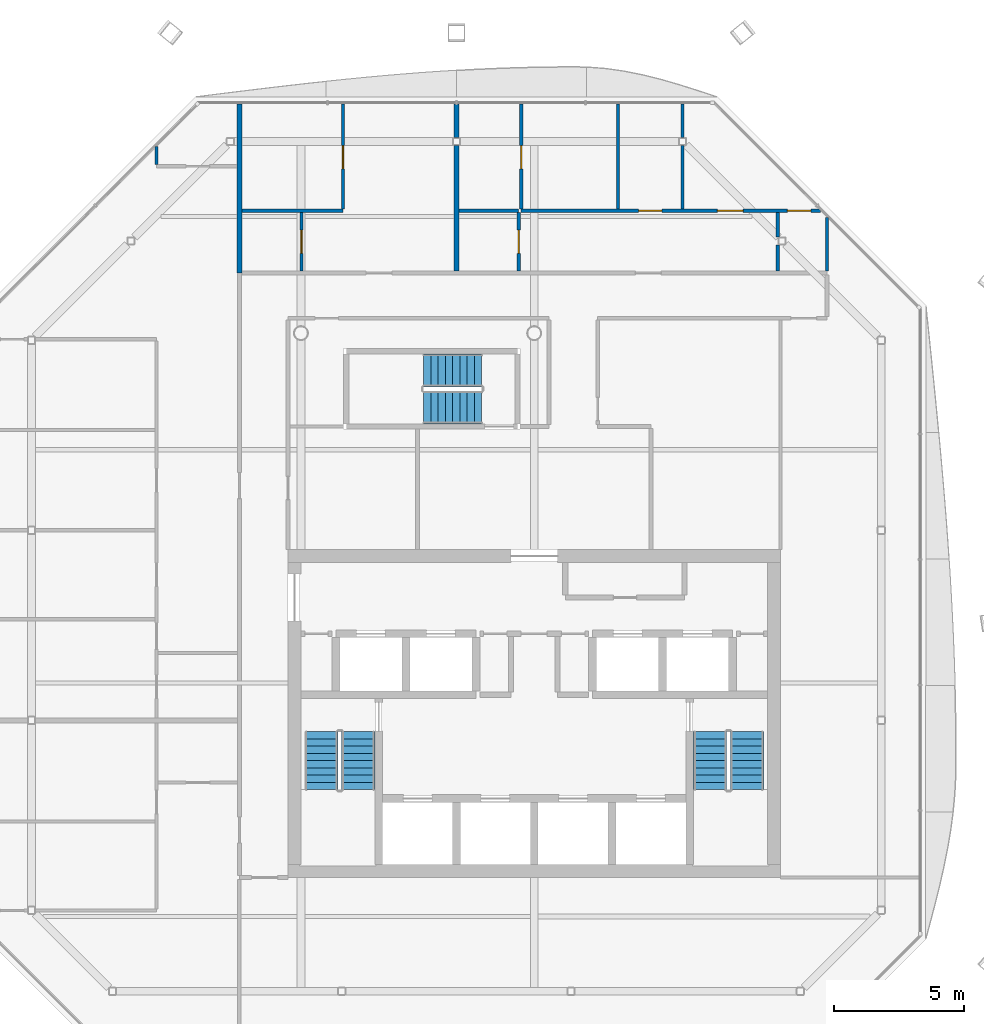
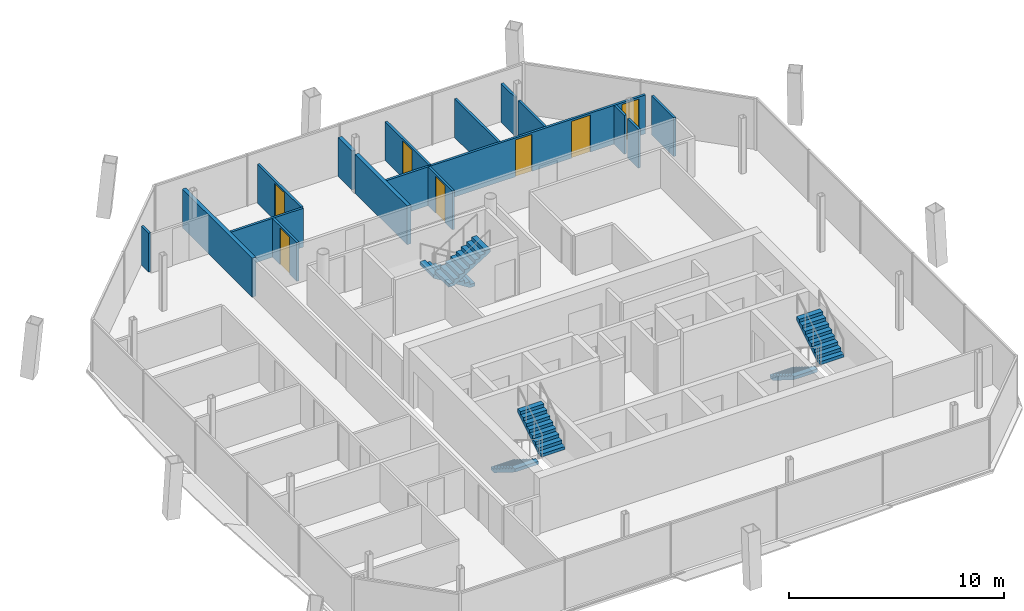
# One storey, part 12 of 15: 17 walls, 7 doors, 6 stair flights, 7 openings, 3 elements without a shape of their own.
"""IFC4 building model written with IfcOpenShell, lengths in metres."""

import ifcopenshell
import ifcopenshell.guid

model = None  # the IFC model being written
_history = None  # IfcOwnerHistory: only IFC2X3 demands one
_inside = {}  # id of a spatial element -> (the spatial element, [elements in it])
_under = {}  # id of a project, library or spatial element -> (it, [spatial elements below it])
_declared = {}  # id of a project -> (the project, [libraries it declares])
_typed = {}  # id of a type object -> (the type object, [elements of that type])
_made_of = {}  # id of a material, layer set ... -> (it, [elements and type objects made of it])


def new_model(schema):
    """Start an empty IFC model of exactly this schema.

    Asked for "IFC4X3", IfcOpenShell would pick the latest addendum, in which some entities
    have other attributes; the version numbers below select the first issue.
    IFC2X3 requires an IfcOwnerHistory on every rooted entity: one is made here for all.
    """
    global model, _history
    if schema == "IFC4X3":
        model = ifcopenshell.file(schema_version=(4, 3, 0, 0))
    else:
        model = ifcopenshell.file(schema=schema)
    _inside.clear()
    _under.clear()
    _declared.clear()
    _typed.clear()
    _made_of.clear()
    _history = None
    if model.schema == "IFC2X3":
        org = make("IfcOrganization", Name="unknown")
        user = make(
            "IfcPersonAndOrganization",
            ThePerson=make("IfcPerson", FamilyName="unknown"),
            TheOrganization=org,
        )
        app = make(
            "IfcApplication",
            ApplicationDeveloper=org,
            Version="unknown",
            ApplicationFullName="unknown",
            ApplicationIdentifier="unknown",
        )
        _history = make(
            "IfcOwnerHistory",
            OwningUser=user,
            OwningApplication=app,
            ChangeAction="ADDED",
            CreationDate=0,
        )
    return model


def make(cls, **values):
    """One entity of the class cls with the attributes given. An attribute that is None is left unset."""
    return model.create_entity(
        cls, **{name: value for name, value in values.items() if value is not None}
    )


def rooted(cls, **values):
    """An entity with a GlobalId (a new one), such as an element, a storey or a relation."""
    return make(cls, GlobalId=ifcopenshell.guid.new(), OwnerHistory=_history, **values)


def si_unit(unit_type, name, prefix=None):
    """IfcSIUnit, for example si_unit("LENGTHUNIT", "METRE", prefix="MILLI")."""
    return make("IfcSIUnit", UnitType=unit_type, Prefix=prefix, Name=name)


def assignment(units):
    """IfcUnitAssignment: the units of a project."""
    return None if units is None else make("IfcUnitAssignment", Units=units)


def point(xyz):
    """IfcCartesianPoint."""
    return None if xyz is None else make("IfcCartesianPoint", Coordinates=xyz)


def direction(xyz):
    """IfcDirection."""
    return None if xyz is None else make("IfcDirection", DirectionRatios=xyz)


def frame(location, z_axis=None, x_axis=None):
    """IfcAxis2Placement3D, a coordinate frame: its origin and axes. An axis left out is left unset."""
    return make(
        "IfcAxis2Placement3D",
        Location=point(location),
        Axis=direction(z_axis),
        RefDirection=direction(x_axis),
    )


def frame_2d(location, x_axis=None):
    """IfcAxis2Placement2D, a coordinate frame in the plane: its origin and x axis."""
    return make(
        "IfcAxis2Placement2D", Location=point(location), RefDirection=direction(x_axis)
    )


def origin():
    """The frame at (0, 0, 0) with its axes left unset."""
    return frame((0.0, 0.0, 0.0))


def place(relative_to, where):
    """IfcLocalPlacement: puts the frame where relative to a parent placement (None: the world)."""
    return make(
        "IfcLocalPlacement", PlacementRelTo=relative_to, RelativePlacement=where
    )


def context(
    kind, dimensions, precision=None, world=None, true_north=None, identifier=None
):
    """IfcGeometricRepresentationContext, for example the 3D "Model" context."""
    return make(
        "IfcGeometricRepresentationContext",
        ContextIdentifier=identifier,
        ContextType=kind,
        CoordinateSpaceDimension=dimensions,
        Precision=precision,
        WorldCoordinateSystem=world,
        TrueNorth=true_north,
    )


def subcontext(parent, identifier, kind, view, scale=None):
    """IfcGeometricRepresentationSubContext, for example "Body" below "Model"."""
    return make(
        "IfcGeometricRepresentationSubContext",
        ContextIdentifier=identifier,
        ContextType=kind,
        ParentContext=parent,
        TargetScale=scale,
        TargetView=view,
    )


def project(units=None, contexts=None):
    """IfcProject with its units and contexts."""
    return rooted(
        "IfcProject",
        Name="project",
        RepresentationContexts=contexts,
        UnitsInContext=assignment(units),
    )


def spatial(cls, under=None, at=None, **own):
    """A site, building, storey or space (cls), placed at a placement, below another one or the project."""
    s = rooted(cls, ObjectPlacement=at, **own)
    if under is not None:
        _under.setdefault(under.id(), (under, []))[1].append(s)
    return s


def polyline(points):
    """IfcPolyline through the points."""
    return make("IfcPolyline", Points=[point(p) for p in points])


def profile(cls, at=None, kind="AREA", **sizes):
    """A parametric profile (cls). Its sizes go by their IFC names, for example OverallWidth=200.0."""
    return make(cls, ProfileType=kind, Position=at, **sizes)


def rectangle(**sizes):
    """IfcRectangleProfileDef."""
    return profile("IfcRectangleProfileDef", **sizes)


def outline(outer, holes=None, kind="AREA"):
    """IfcArbitraryClosedProfileDef: a profile drawn as a closed curve; with holes, ...WithVoids."""
    if holes is None:
        return make("IfcArbitraryClosedProfileDef", ProfileType=kind, OuterCurve=outer)
    return make(
        "IfcArbitraryProfileDefWithVoids",
        ProfileType=kind,
        OuterCurve=outer,
        InnerCurves=holes,
    )


def extrude(swept, where, along, depth):
    """IfcExtrudedAreaSolid: the profile swept, set in the frame where, extruded along a direction by depth."""
    return make(
        "IfcExtrudedAreaSolid",
        SweptArea=swept,
        Position=where,
        ExtrudedDirection=direction(along),
        Depth=depth,
    )


def shape(context_of_items, identifier, shape_type, items):
    """IfcShapeRepresentation: the items that make up one representation, for example the "Body"."""
    return make(
        "IfcShapeRepresentation",
        ContextOfItems=context_of_items,
        RepresentationIdentifier=identifier,
        RepresentationType=shape_type,
        Items=items,
    )


def material(Name=None, Category=None):
    """IfcMaterial."""
    return make("IfcMaterial", Name=Name, Category=Category)


def layer(
    of_material, thickness, ventilated=None, Name=None, Category=None, Priority=None
):
    """IfcMaterialLayer: one layer of a wall or slab, of a material (None: an air gap)."""
    return make(
        "IfcMaterialLayer",
        Material=of_material,
        LayerThickness=thickness,
        IsVentilated=ventilated,
        Name=Name,
        Category=Category,
        Priority=Priority,
    )


def layer_set(layers, Name=None):
    """IfcMaterialLayerSet."""
    return make("IfcMaterialLayerSet", MaterialLayers=layers, LayerSetName=Name)


def made_of(thing, what):
    """Note that an element or type object is made of a material, layer set ...; save() writes the relation."""
    if what is not None:
        _made_of.setdefault(what.id(), (what, []))[1].append(thing)
    return thing


def type_object(cls, material=None, **own):
    """A type object (cls), such as IfcWallType, which elements share."""
    return made_of(rooted(cls, **own), material)


def element(
    cls,
    number,
    at=None,
    inside=None,
    cuts=None,
    type_object=None,
    material=None,
    context=None,
    identifier="Body",
    shape_type=None,
    held_by="IfcProductDefinitionShape",
    body=None,
    shapes=None,
    **own,
):
    """One element of the class cls, such as IfcWall. Its Tag is "e" and its number.

    at: its placement. inside: the storey or other place that contains it. cuts: it is an
    opening in that element (IfcRelVoidsElement). A single representation is given by context,
    identifier, shape_type and body (its items); several are given by shapes. held_by: the class
    of the entity that holds the representations. save() writes the other relations.
    """
    e = rooted(cls, Tag="e%d" % number, ObjectPlacement=at, **own)
    if body is not None:
        shapes = [shape(context, identifier, shape_type, body)]
    if shapes is not None:
        e.Representation = make(held_by, Representations=shapes)
    if inside is not None:
        _inside.setdefault(inside.id(), (inside, []))[1].append(e)
    if cuts is not None:
        rooted(
            "IfcRelVoidsElement", RelatingBuildingElement=cuts, RelatedOpeningElement=e
        )
    if type_object is not None:
        _typed.setdefault(type_object.id(), (type_object, []))[1].append(e)
    return made_of(e, material)


def fill(opening, filler):
    """IfcRelFillsElement: the door or window that sits in an opening."""
    return rooted(
        "IfcRelFillsElement",
        RelatingOpeningElement=opening,
        RelatedBuildingElement=filler,
    )


def aggregate(whole, parts):
    """IfcRelAggregates: a whole, such as a stair, and the parts it consists of."""
    return rooted("IfcRelAggregates", RelatingObject=whole, RelatedObjects=parts)


def save(model, path):
    """Write the relations noted so far, then the file.

    IfcRelAggregates (storeys below a building ...), IfcRelContainedInSpatialStructure (elements
    in a storey), IfcRelDefinesByType, IfcRelAssociatesMaterial and IfcRelDeclares: one each for
    every whole, place, type object, material and project.
    """
    for whole, parts in _under.values():
        aggregate(whole, parts)
    for where, things in _inside.values():
        rooted(
            "IfcRelContainedInSpatialStructure",
            RelatedElements=things,
            RelatingStructure=where,
        )
    for kind, things in _typed.values():
        rooted("IfcRelDefinesByType", RelatedObjects=things, RelatingType=kind)
    for what, things in _made_of.values():
        rooted("IfcRelAssociatesMaterial", RelatedObjects=things, RelatingMaterial=what)
    for by, libraries in _declared.values():
        rooted("IfcRelDeclares", RelatingContext=by, RelatedDefinitions=libraries)
    model.write(path)


model = new_model("IFC4")

# Units and contexts
model_context = context("Model", 3, precision=1e-05, world=origin(), true_north=direction((0.0, 1.0)))
body_context = subcontext(model_context, "Body", "Model", "MODEL_VIEW")
ifc_project = project(units=[si_unit("LENGTHUNIT", "METRE"), si_unit("AREAUNIT", "SQUARE_METRE"), si_unit("VOLUMEUNIT", "CUBIC_METRE"), si_unit("PLANEANGLEUNIT", "RADIAN"), si_unit("MASSUNIT", "GRAM", prefix="KILO")], contexts=[model_context])

# Site, building, storey
site_placement = place(None, origin())
site = spatial("IfcSite", under=ifc_project, at=site_placement, CompositionType="ELEMENT")
building_placement = place(site_placement, origin())
building = spatial("IfcBuilding", under=site, at=building_placement, Name="Tskaro Facet Tower", CompositionType="ELEMENT")
storey_placement = place(building_placement, frame((0.0, 0.0, 242.39990234375)))
storey = spatial("IfcBuildingStorey", under=building, at=storey_placement, Name="L63", CompositionType="ELEMENT", Elevation=242.39990234375)

# Walls
ifc_material_1 = material(Name="Gypsum board on steel studs", Category="steel")
ifc_layer_1 = layer(ifc_material_1, 0.125, Name="Gypsum board on steel studs")
ifc_layer_set_1 = layer_set([ifc_layer_1], Name="Gypsum board on steel studs")
wall_type_1 = type_object("IfcWallType", Name="PART", PredefinedType="PARTITIONING", material=ifc_layer_set_1)
wall_1_placement = place(storey_placement, frame((-11.27490234375, 13.72509765625, 0.0), z_axis=(0.0, 0.0, 1.0), x_axis=(1.0, 0.0, 0.0)))
element("IfcWall", 1, at=wall_1_placement, inside=storey, type_object=wall_type_1, Name="Partition W035", PredefinedType="PARTITIONING", context=body_context, shape_type="SweptSolid", body=[
    extrude(rectangle(XDim=3.89990234375, YDim=0.125, at=frame_2d((1.949951171875, 0.0))), origin(), (0.0, 0.0, 1.0), 2.210205078125),
])
wall_2_placement = place(storey_placement, frame((-2.89990234375, 13.72509765625, 0.0), z_axis=(0.0, 0.0, 1.0), x_axis=(1.0, 0.0, 0.0)))
element("IfcWall", 2, at=wall_2_placement, inside=storey, type_object=wall_type_1, Name="Partition W036", PredefinedType="PARTITIONING", context=body_context, shape_type="SweptSolid", body=[
    extrude(rectangle(XDim=2.2998046875, YDim=0.125, at=frame_2d((1.14990234375, 0.0))), origin(), (0.0, 0.0, 1.0), 2.210205078125),
])

# Wall, openings, doors
wall_3_placement = place(storey_placement, frame((-0.5, 13.72509765625, 0.0), z_axis=(0.0, 0.0, 1.0), x_axis=(1.0, 0.0, 0.0)))
wall_3 = element("IfcWall", 3, at=wall_3_placement, inside=storey, type_object=wall_type_1, Name="Partition W037", PredefinedType="PARTITIONING", context=body_context, shape_type="SweptSolid", body=[
    extrude(rectangle(XDim=11.5419921875, YDim=0.125, at=frame_2d((5.77099609375, 0.0))), origin(), (0.0, 0.0, 1.0), 2.210205078125),
])
opening_1_placement = place(wall_3_placement, frame((4.530029296875, 0.0, 0.0)))
opening_1 = element("IfcOpeningElement", 4, at=opening_1_placement, cuts=wall_3, Name="Opening T18-D27", PredefinedType="OPENING", context=body_context, shape_type="SweptSolid", body=[
    extrude(rectangle(XDim=0.89990234375, YDim=2.10009765625, at=frame_2d((0.449951171875, 1.050048828125))), frame((0.0, 0.072509765625, 0.0), z_axis=(0.0, -1.0, 0.0), x_axis=(1.0, 0.0, 0.0)), (0.0, 0.0, 1.0), 0.14501953125),
])
opening_2_placement = place(wall_3_placement, frame((7.5625, 0.0, 0.0)))
opening_2 = element("IfcOpeningElement", 5, at=opening_2_placement, cuts=wall_3, Name="Opening T18-D28", PredefinedType="OPENING", context=body_context, shape_type="SweptSolid", body=[
    extrude(rectangle(XDim=1.0, YDim=2.10009765625, at=frame_2d((0.5, 1.050048828125))), frame((0.0, 0.072509765625, 0.0), z_axis=(0.0, -1.0, 0.0), x_axis=(1.0, 0.0, 0.0)), (0.0, 0.0, 1.0), 0.14501953125),
])
opening_3_placement = place(wall_3_placement, frame((10.27099609375, 0.0, 0.0)))
opening_3 = element("IfcOpeningElement", 6, at=opening_3_placement, cuts=wall_3, Name="Opening T18-D29", PredefinedType="OPENING", context=body_context, shape_type="SweptSolid", body=[
    extrude(rectangle(XDim=0.89990234375, YDim=2.10009765625, at=frame_2d((0.449951171875, 1.050048828125))), frame((0.0, 0.072509765625, 0.0), z_axis=(0.0, -1.0, 0.0), x_axis=(1.0, 0.0, 0.0)), (0.0, 0.0, 1.0), 0.14501953125),
])
ifc_material_2 = material(Name="Timber", Category="wood")
door_type_1 = type_object("IfcDoorType", Name="D-ROOM", OperationType="NOTDEFINED", PredefinedType="DOOR", material=ifc_material_2)
door_1_placement = place(opening_1_placement, origin())
door_1 = element("IfcDoor", 7, at=door_1_placement, inside=storey, type_object=door_type_1, Name="Door T18-D27", OperationType="SINGLE_SWING_LEFT", OverallHeight=2.10009765625, OverallWidth=0.89990234375, PredefinedType="DOOR", context=body_context, shape_type="SweptSolid", body=[
    extrude(rectangle(XDim=0.89990234375, YDim=2.10009765625, at=frame_2d((0.449951171875, 1.050048828125))), frame((0.0, 0.02490234375, 0.0), z_axis=(0.0, -1.0, 0.0), x_axis=(1.0, 0.0, 0.0)), (0.0, 0.0, 1.0), 0.050048828125),
])
fill(opening_1, door_1)
door_2_placement = place(opening_3_placement, origin())
door_2 = element("IfcDoor", 8, at=door_2_placement, inside=storey, type_object=door_type_1, Name="Door T18-D29", OperationType="SINGLE_SWING_LEFT", OverallHeight=2.10009765625, OverallWidth=0.89990234375, PredefinedType="DOOR", context=body_context, shape_type="SweptSolid", body=[
    extrude(rectangle(XDim=0.89990234375, YDim=2.10009765625, at=frame_2d((0.449951171875, 1.050048828125))), frame((0.0, 0.02490234375, 0.0), z_axis=(0.0, -1.0, 0.0), x_axis=(1.0, 0.0, 0.0)), (0.0, 0.0, 1.0), 0.050048828125),
])
fill(opening_3, door_2)
door_type_2 = type_object("IfcDoorType", Name="D-ROOM-WIDE", OperationType="NOTDEFINED", PredefinedType="DOOR", material=ifc_material_2)
door_3_placement = place(opening_2_placement, origin())
door_3 = element("IfcDoor", 9, at=door_3_placement, inside=storey, type_object=door_type_2, Name="Door T18-D28", OperationType="SINGLE_SWING_LEFT", OverallHeight=2.10009765625, OverallWidth=1.0, PredefinedType="DOOR", context=body_context, shape_type="SweptSolid", body=[
    extrude(rectangle(XDim=1.0, YDim=2.10009765625, at=frame_2d((0.5, 1.050048828125))), frame((0.0, 0.02490234375, 0.0), z_axis=(0.0, -1.0, 0.0), x_axis=(1.0, 0.0, 0.0)), (0.0, 0.0, 1.0), 0.050048828125),
])
fill(opening_2, door_3)

# Wall
wall_4_placement = place(storey_placement, frame((-14.574951171875, 15.50244140625, 0.0), z_axis=(0.0, 0.0, 1.0), x_axis=(0.0, 1.0, 0.0)))
element("IfcWall", 10, at=wall_4_placement, inside=storey, type_object=wall_type_1, Name="Partition W040", PredefinedType="PARTITIONING", context=body_context, shape_type="SweptSolid", body=[
    extrude(rectangle(XDim=0.689453125, YDim=0.125, at=frame_2d((0.3447265625, 0.0))), origin(), (0.0, 0.0, 1.0), 2.210205078125),
])

# Wall, opening, door
wall_5_placement = place(storey_placement, frame((-8.97509765625, 11.39990234375, 0.0), z_axis=(0.0, 0.0, 1.0), x_axis=(0.0, 1.0, 0.0)))
wall_5 = element("IfcWall", 11, at=wall_5_placement, inside=storey, type_object=wall_type_1, Name="Partition W045", PredefinedType="PARTITIONING", context=body_context, shape_type="SweptSolid", body=[
    extrude(rectangle(XDim=2.2626953125, YDim=0.125, at=frame_2d((1.13134765625, 0.0))), origin(), (0.0, 0.0, 1.0), 2.210205078125),
])
opening_4_placement = place(wall_5_placement, frame((0.675048828125, 0.0, 0.0)))
opening_4 = element("IfcOpeningElement", 12, at=opening_4_placement, cuts=wall_5, Name="Opening T18-D25", PredefinedType="OPENING", context=body_context, shape_type="SweptSolid", body=[
    extrude(rectangle(XDim=0.89990234375, YDim=2.10009765625, at=frame_2d((0.449951171875, 1.050048828125))), frame((0.0, 0.072509765625, 0.0), z_axis=(0.0, -1.0, 0.0), x_axis=(1.0, 0.0, 0.0)), (0.0, 0.0, 1.0), 0.14501953125),
])
door_4_placement = place(opening_4_placement, origin())
door_4 = element("IfcDoor", 13, at=door_4_placement, inside=storey, type_object=door_type_1, Name="Door T18-D25", OperationType="SINGLE_SWING_LEFT", OverallHeight=2.10009765625, OverallWidth=0.89990234375, PredefinedType="DOOR", context=body_context, shape_type="SweptSolid", body=[
    extrude(rectangle(XDim=0.89990234375, YDim=2.10009765625, at=frame_2d((0.449951171875, 1.050048828125))), frame((0.0, 0.02490234375, 0.0), z_axis=(0.0, -1.0, 0.0), x_axis=(1.0, 0.0, 0.0)), (0.0, 0.0, 1.0), 0.050048828125),
])
fill(opening_4, door_4)

wall_6_placement = place(storey_placement, frame((-7.375, 13.78759765625, 0.0), z_axis=(0.0, 0.0, 1.0), x_axis=(0.0, 1.0, 0.0)))
wall_6 = element("IfcWall", 14, at=wall_6_placement, inside=storey, type_object=wall_type_1, Name="Partition W047", PredefinedType="PARTITIONING", context=body_context, shape_type="SweptSolid", body=[
    extrude(rectangle(XDim=4.051513671875, YDim=0.125, at=frame_2d((2.02587890625, 0.0))), origin(), (0.0, 0.0, 1.0), 2.210205078125),
])
opening_5_placement = place(wall_6_placement, frame((1.54443359375, 0.0, 0.0)))
opening_5 = element("IfcOpeningElement", 15, at=opening_5_placement, cuts=wall_6, Name="Opening T18-D31", PredefinedType="OPENING", context=body_context, shape_type="SweptSolid", body=[
    extrude(rectangle(XDim=0.89990234375, YDim=2.10009765625, at=frame_2d((0.449951171875, 1.050048828125))), frame((0.0, 0.072509765625, 0.0), z_axis=(0.0, -1.0, 0.0), x_axis=(1.0, 0.0, 0.0)), (0.0, 0.0, 1.0), 0.14501953125),
])
door_5_placement = place(opening_5_placement, origin())
door_5 = element("IfcDoor", 16, at=door_5_placement, inside=storey, type_object=door_type_1, Name="Door T18-D31", OperationType="SINGLE_SWING_RIGHT", OverallHeight=2.10009765625, OverallWidth=0.89990234375, PredefinedType="DOOR", context=body_context, shape_type="SweptSolid", body=[
    extrude(rectangle(XDim=0.89990234375, YDim=2.10009765625, at=frame_2d((0.449951171875, 1.050048828125))), frame((0.0, 0.02490234375, 0.0), z_axis=(0.0, -1.0, 0.0), x_axis=(1.0, 0.0, 0.0)), (0.0, 0.0, 1.0), 0.050048828125),
])
fill(opening_5, door_5)

wall_7_placement = place(storey_placement, frame((-0.60009765625, 11.39990234375, 0.0), z_axis=(0.0, 0.0, 1.0), x_axis=(0.0, 1.0, 0.0)))
wall_7 = element("IfcWall", 17, at=wall_7_placement, inside=storey, type_object=wall_type_1, Name="Partition W058", PredefinedType="PARTITIONING", context=body_context, shape_type="SweptSolid", body=[
    extrude(rectangle(XDim=2.2626953125, YDim=0.125, at=frame_2d((1.13134765625, 0.0))), origin(), (0.0, 0.0, 1.0), 2.210205078125),
])
opening_6_placement = place(wall_7_placement, frame((0.675048828125, 0.0, 0.0)))
opening_6 = element("IfcOpeningElement", 18, at=opening_6_placement, cuts=wall_7, Name="Opening T18-D26", PredefinedType="OPENING", context=body_context, shape_type="SweptSolid", body=[
    extrude(rectangle(XDim=0.89990234375, YDim=2.10009765625, at=frame_2d((0.449951171875, 1.050048828125))), frame((0.0, 0.072509765625, 0.0), z_axis=(0.0, -1.0, 0.0), x_axis=(1.0, 0.0, 0.0)), (0.0, 0.0, 1.0), 0.14501953125),
])
door_6_placement = place(opening_6_placement, origin())
door_6 = element("IfcDoor", 19, at=door_6_placement, inside=storey, type_object=door_type_1, Name="Door T18-D26", OperationType="SINGLE_SWING_LEFT", OverallHeight=2.10009765625, OverallWidth=0.89990234375, PredefinedType="DOOR", context=body_context, shape_type="SweptSolid", body=[
    extrude(rectangle(XDim=0.89990234375, YDim=2.10009765625, at=frame_2d((0.449951171875, 1.050048828125))), frame((0.0, 0.02490234375, 0.0), z_axis=(0.0, -1.0, 0.0), x_axis=(1.0, 0.0, 0.0)), (0.0, 0.0, 1.0), 0.050048828125),
])
fill(opening_6, door_6)

wall_8_placement = place(storey_placement, frame((-0.5, 17.839111328125, 0.0), z_axis=(0.0, 0.0, 1.0), x_axis=(0.0, -1.0, 0.0)))
wall_8 = element("IfcWall", 20, at=wall_8_placement, inside=storey, type_object=wall_type_1, Name="Partition W059", PredefinedType="PARTITIONING", context=body_context, shape_type="SweptSolid", body=[
    extrude(rectangle(XDim=4.051513671875, YDim=0.125, at=frame_2d((2.02587890625, 0.0))), origin(), (0.0, 0.0, 1.0), 2.210205078125),
])
opening_7_placement = place(wall_8_placement, frame((1.60693359375, 0.0, 0.0)))
opening_7 = element("IfcOpeningElement", 21, at=opening_7_placement, cuts=wall_8, Name="Opening T18-D32", PredefinedType="OPENING", context=body_context, shape_type="SweptSolid", body=[
    extrude(rectangle(XDim=0.89990234375, YDim=2.10009765625, at=frame_2d((0.449951171875, 1.050048828125))), frame((0.0, 0.072509765625, 0.0), z_axis=(0.0, -1.0, 0.0), x_axis=(1.0, 0.0, 0.0)), (0.0, 0.0, 1.0), 0.14501953125),
])
door_7_placement = place(opening_7_placement, origin())
door_7 = element("IfcDoor", 22, at=door_7_placement, inside=storey, type_object=door_type_1, Name="Door T18-D32", OperationType="SINGLE_SWING_LEFT", OverallHeight=2.10009765625, OverallWidth=0.89990234375, PredefinedType="DOOR", context=body_context, shape_type="SweptSolid", body=[
    extrude(rectangle(XDim=0.89990234375, YDim=2.10009765625, at=frame_2d((0.449951171875, 1.050048828125))), frame((0.0, 0.02490234375, 0.0), z_axis=(0.0, -1.0, 0.0), x_axis=(1.0, 0.0, 0.0)), (0.0, 0.0, 1.0), 0.050048828125),
])
fill(opening_7, door_7)

# Walls
wall_9_placement = place(storey_placement, frame((3.235107421875, 13.78759765625, 0.0), z_axis=(0.0, 0.0, 1.0), x_axis=(0.0, 1.0, 0.0)))
element("IfcWall", 23, at=wall_9_placement, inside=storey, type_object=wall_type_1, Name="Partition W067", PredefinedType="PARTITIONING", context=body_context, shape_type="SweptSolid", body=[
    extrude(rectangle(XDim=4.051513671875, YDim=0.125, at=frame_2d((2.02587890625, 0.0))), origin(), (0.0, 0.0, 1.0), 2.210205078125),
])
wall_10_placement = place(storey_placement, frame((5.72509765625, 13.78759765625, 0.0), z_axis=(0.0, 0.0, 1.0), x_axis=(0.0, 1.0, 0.0)))
element("IfcWall", 24, at=wall_10_placement, inside=storey, type_object=wall_type_1, Name="Partition W070", PredefinedType="PARTITIONING", context=body_context, shape_type="SweptSolid", body=[
    extrude(rectangle(XDim=2.453369140625, YDim=0.125, at=frame_2d((1.2265625, 0.0))), origin(), (0.0, 0.0, 1.0), 2.210205078125),
])
wall_11_placement = place(storey_placement, frame((5.72509765625, 16.541015625, 0.0), z_axis=(0.0, 0.0, 1.0), x_axis=(0.0, 1.0, 0.0)))
element("IfcWall", 25, at=wall_11_placement, inside=storey, type_object=wall_type_1, Name="Partition W071", PredefinedType="PARTITIONING", context=body_context, shape_type="SweptSolid", body=[
    extrude(rectangle(XDim=1.298095703125, YDim=0.125, at=frame_2d((0.64892578125, 0.0))), origin(), (0.0, 0.0, 1.0), 2.210205078125),
])
wall_12_placement = place(storey_placement, frame((9.39990234375, 11.39990234375, 0.0), z_axis=(0.0, 0.0, 1.0), x_axis=(0.0, 1.0, 0.0)))
element("IfcWall", 26, at=wall_12_placement, inside=storey, type_object=wall_type_1, Name="Partition W075", PredefinedType="PARTITIONING", context=body_context, shape_type="SweptSolid", body=[
    extrude(rectangle(XDim=1.008056640625, YDim=0.125, at=frame_2d((0.50390625, 0.0))), origin(), (0.0, 0.0, 1.0), 2.210205078125),
])
wall_13_placement = place(storey_placement, frame((9.39990234375, 12.7080078125, 0.0), z_axis=(0.0, 0.0, 1.0), x_axis=(0.0, 1.0, 0.0)))
element("IfcWall", 27, at=wall_13_placement, inside=storey, type_object=wall_type_1, Name="Partition W076", PredefinedType="PARTITIONING", context=body_context, shape_type="SweptSolid", body=[
    extrude(rectangle(XDim=0.95458984375, YDim=0.125, at=frame_2d((0.477294921875, 0.0))), origin(), (0.0, 0.0, 1.0), 2.210205078125),
])
wall_14_placement = place(storey_placement, frame((11.300048828125, 11.39990234375, 0.0), z_axis=(0.0, 0.0, 1.0), x_axis=(0.0, 1.0, 0.0)))
element("IfcWall", 28, at=wall_14_placement, inside=storey, type_object=wall_type_1, Name="Partition W079", PredefinedType="PARTITIONING", context=body_context, shape_type="SweptSolid", body=[
    extrude(rectangle(XDim=2.067138671875, YDim=0.125, at=frame_2d((1.03369140625, 0.0))), origin(), (0.0, 0.0, 1.0), 2.210205078125),
])
ifc_layer_2 = layer(ifc_material_1, 0.199951171875, Name="Gypsum board on steel studs")
ifc_layer_set_2 = layer_set([ifc_layer_2], Name="Gypsum board on steel studs")
wall_type_2 = type_object("IfcWallType", Name="PART-DEMISING", PredefinedType="PARTITIONING", material=ifc_layer_set_2)
wall_15_placement = place(storey_placement, frame((-11.375, 11.324951171875, 0.0), z_axis=(0.0, 0.0, 1.0), x_axis=(0.0, 1.0, 0.0)))
element("IfcWall", 29, at=wall_15_placement, inside=storey, type_object=wall_type_2, Name="Guest room wall W043", PredefinedType="PARTITIONING", context=body_context, shape_type="SweptSolid", body=[
    extrude(rectangle(XDim=6.51416015625, YDim=0.199951171875, at=frame_2d((3.257080078125, 0.0))), origin(), (0.0, 0.0, 1.0), 2.210205078125),
])
wall_16_placement = place(storey_placement, frame((-3.0, 11.39990234375, 0.0), z_axis=(0.0, 0.0, 1.0), x_axis=(0.0, 1.0, 0.0)))
element("IfcWall", 30, at=wall_16_placement, inside=storey, type_object=wall_type_2, Name="Guest room wall W053", PredefinedType="PARTITIONING", context=body_context, shape_type="SweptSolid", body=[
    extrude(rectangle(XDim=4.841064453125, YDim=0.199951171875, at=frame_2d((2.42041015625, 0.0))), origin(), (0.0, 0.0, 1.0), 2.210205078125),
])
wall_17_placement = place(storey_placement, frame((-3.0, 16.541015625, 0.0), z_axis=(0.0, 0.0, 1.0), x_axis=(0.0, 1.0, 0.0)))
element("IfcWall", 31, at=wall_17_placement, inside=storey, type_object=wall_type_2, Name="Guest room wall W054", PredefinedType="PARTITIONING", context=body_context, shape_type="SweptSolid", body=[
    extrude(rectangle(XDim=1.298095703125, YDim=0.199951171875, at=frame_2d((0.64892578125, 0.0))), origin(), (0.0, 0.0, 1.0), 2.210205078125),
])

# Stair, stair flights
ifc_material_3 = material(Name="Concrete C40/50", Category="concrete")
stair_type = type_object("IfcStairType", Name="ST-TWR", PredefinedType="HALF_TURN_STAIR", material=ifc_material_3)
stair_1_placement = place(storey_placement, origin())
stair_1 = element("IfcStair", 32, at=stair_1_placement, inside=storey, type_object=stair_type, Name="L63 Exit stair 1", PredefinedType="HALF_TURN_STAIR")
stair_flight_type = type_object("IfcStairFlightType", Name="SFL-RC", PredefinedType="STRAIGHT", material=ifc_material_3)
stair_flight_1_placement = place(storey_placement, frame((-8.21240234375, -6.375, 0.0), z_axis=(0.0, 0.0, 1.0), x_axis=(0.0, -1.0, 0.0)))
stair_flight_1 = element("IfcStairFlight", 33, at=stair_flight_1_placement, type_object=stair_flight_type, Name="ST-1 flight 1", NumberOfRisers=9, NumberOfTreads=8, PredefinedType="STRAIGHT", RiserHeight=0.175, TreadLength=0.28, context=body_context, shape_type="SweptSolid", body=[
    extrude(outline(polyline([(0.0, 0.0), (0.0, 0.175048828125), (0.280029296875, 0.175048828125), (0.280029296875, 0.35009765625), (0.56005859375, 0.35009765625), (0.56005859375, 0.52490234375), (0.840087890625, 0.52490234375), (0.840087890625, 0.699951171875), (1.1201171875, 0.699951171875), (1.1201171875, 0.875), (1.39990234375, 0.875), (1.39990234375, 1.050048828125), (1.679931640625, 1.050048828125), (1.679931640625, 1.22509765625), (1.9599609375, 1.22509765625), (1.9599609375, 1.39990234375), (2.239990234375, 1.39990234375), (2.239990234375, 1.574951171875), (2.239990234375, 1.22314453125), (0.28271484375, 0.0), (0.0, 0.0)])), frame((0.0, 0.637451171875, 0.0), z_axis=(0.0, -1.0, 0.0), x_axis=(1.0, 0.0, 0.0)), (0.0, 0.0, 1.0), 1.27490234375),
])
stair_flight_2_placement = place(storey_placement, frame((-6.78759765625, -8.614990234375, 1.5751953125), z_axis=(0.0, 0.0, 1.0), x_axis=(0.0, 1.0, 0.0)))
stair_flight_2 = element("IfcStairFlight", 34, at=stair_flight_2_placement, type_object=stair_flight_type, Name="ST-1 flight 2", NumberOfRisers=9, NumberOfTreads=8, PredefinedType="STRAIGHT", RiserHeight=0.175, TreadLength=0.28, context=body_context, shape_type="SweptSolid", body=[
    extrude(outline(polyline([(0.0, 0.0), (0.0, 0.175048828125), (0.280029296875, 0.175048828125), (0.280029296875, 0.35009765625), (0.56005859375, 0.35009765625), (0.56005859375, 0.52490234375), (0.840087890625, 0.52490234375), (0.840087890625, 0.699951171875), (1.1201171875, 0.699951171875), (1.1201171875, 0.875), (1.39990234375, 0.875), (1.39990234375, 1.050048828125), (1.679931640625, 1.050048828125), (1.679931640625, 1.22509765625), (1.9599609375, 1.22509765625), (1.9599609375, 1.39990234375), (2.239990234375, 1.39990234375), (2.239990234375, 1.574951171875), (2.239990234375, 1.22314453125), (0.28271484375, 0.0), (0.0, 0.0)])), frame((0.0, 0.637451171875, 0.0), z_axis=(0.0, -1.0, 0.0), x_axis=(1.0, 0.0, 0.0)), (0.0, 0.0, 1.0), 1.27490234375),
])
aggregate(stair_1, [stair_flight_1, stair_flight_2])

stair_2_placement = place(storey_placement, origin())
stair_2 = element("IfcStair", 35, at=stair_2_placement, inside=storey, type_object=stair_type, Name="L63 Exit stair 2", PredefinedType="HALF_TURN_STAIR")
stair_flight_3_placement = place(storey_placement, frame((6.78759765625, -6.375, 0.0), z_axis=(0.0, 0.0, 1.0), x_axis=(0.0, -1.0, 0.0)))
stair_flight_3 = element("IfcStairFlight", 36, at=stair_flight_3_placement, type_object=stair_flight_type, Name="ST-2 flight 1", NumberOfRisers=9, NumberOfTreads=8, PredefinedType="STRAIGHT", RiserHeight=0.175, TreadLength=0.28, context=body_context, shape_type="SweptSolid", body=[
    extrude(outline(polyline([(0.0, 0.0), (0.0, 0.175048828125), (0.280029296875, 0.175048828125), (0.280029296875, 0.35009765625), (0.56005859375, 0.35009765625), (0.56005859375, 0.52490234375), (0.840087890625, 0.52490234375), (0.840087890625, 0.699951171875), (1.1201171875, 0.699951171875), (1.1201171875, 0.875), (1.39990234375, 0.875), (1.39990234375, 1.050048828125), (1.679931640625, 1.050048828125), (1.679931640625, 1.22509765625), (1.9599609375, 1.22509765625), (1.9599609375, 1.39990234375), (2.239990234375, 1.39990234375), (2.239990234375, 1.574951171875), (2.239990234375, 1.22314453125), (0.28271484375, 0.0), (0.0, 0.0)])), frame((0.0, 0.637451171875, 0.0), z_axis=(0.0, -1.0, 0.0), x_axis=(1.0, 0.0, 0.0)), (0.0, 0.0, 1.0), 1.27490234375),
])
stair_flight_4_placement = place(storey_placement, frame((8.21240234375, -8.614990234375, 1.5751953125), z_axis=(0.0, 0.0, 1.0), x_axis=(0.0, 1.0, 0.0)))
stair_flight_4 = element("IfcStairFlight", 37, at=stair_flight_4_placement, type_object=stair_flight_type, Name="ST-2 flight 2", NumberOfRisers=9, NumberOfTreads=8, PredefinedType="STRAIGHT", RiserHeight=0.175, TreadLength=0.28, context=body_context, shape_type="SweptSolid", body=[
    extrude(outline(polyline([(0.0, 0.0), (0.0, 0.175048828125), (0.280029296875, 0.175048828125), (0.280029296875, 0.35009765625), (0.56005859375, 0.35009765625), (0.56005859375, 0.52490234375), (0.840087890625, 0.52490234375), (0.840087890625, 0.699951171875), (1.1201171875, 0.699951171875), (1.1201171875, 0.875), (1.39990234375, 0.875), (1.39990234375, 1.050048828125), (1.679931640625, 1.050048828125), (1.679931640625, 1.22509765625), (1.9599609375, 1.22509765625), (1.9599609375, 1.39990234375), (2.239990234375, 1.39990234375), (2.239990234375, 1.574951171875), (2.239990234375, 1.22314453125), (0.28271484375, 0.0), (0.0, 0.0)])), frame((0.0, 0.637451171875, 0.0), z_axis=(0.0, -1.0, 0.0), x_axis=(1.0, 0.0, 0.0)), (0.0, 0.0, 1.0), 1.27490234375),
])
aggregate(stair_2, [stair_flight_3, stair_flight_4])

stair_3_placement = place(storey_placement, origin())
stair_3 = element("IfcStair", 38, at=stair_3_placement, inside=storey, type_object=stair_type, Name="L63 Exit stair 3", PredefinedType="HALF_TURN_STAIR")
stair_flight_5_placement = place(storey_placement, frame((-2.02490234375, 7.5625, 0.0), z_axis=(0.0, 0.0, 1.0), x_axis=(-1.0, 0.0, 0.0)))
stair_flight_5 = element("IfcStairFlight", 39, at=stair_flight_5_placement, type_object=stair_flight_type, Name="ST-3 flight 1", NumberOfRisers=9, NumberOfTreads=8, PredefinedType="STRAIGHT", RiserHeight=0.175, TreadLength=0.28, context=body_context, shape_type="SweptSolid", body=[
    extrude(outline(polyline([(0.0, 0.0), (0.0, 0.175048828125), (0.280029296875, 0.175048828125), (0.280029296875, 0.35009765625), (0.56005859375, 0.35009765625), (0.56005859375, 0.52490234375), (0.840087890625, 0.52490234375), (0.840087890625, 0.699951171875), (1.1201171875, 0.699951171875), (1.1201171875, 0.875), (1.39990234375, 0.875), (1.39990234375, 1.050048828125), (1.679931640625, 1.050048828125), (1.679931640625, 1.22509765625), (1.9599609375, 1.22509765625), (1.9599609375, 1.39990234375), (2.239990234375, 1.39990234375), (2.239990234375, 1.574951171875), (2.239990234375, 1.22314453125), (0.28271484375, 0.0), (0.0, 0.0)])), frame((0.0, 0.637451171875, 0.0), z_axis=(0.0, -1.0, 0.0), x_axis=(1.0, 0.0, 0.0)), (0.0, 0.0, 1.0), 1.27490234375),
])
stair_flight_6_placement = place(storey_placement, frame((-4.264892578125, 6.137451171875, 1.5751953125), z_axis=(0.0, 0.0, 1.0), x_axis=(1.0, 0.0, 0.0)))
stair_flight_6 = element("IfcStairFlight", 40, at=stair_flight_6_placement, type_object=stair_flight_type, Name="ST-3 flight 2", NumberOfRisers=9, NumberOfTreads=8, PredefinedType="STRAIGHT", RiserHeight=0.175, TreadLength=0.28, context=body_context, shape_type="SweptSolid", body=[
    extrude(outline(polyline([(0.0, 0.0), (0.0, 0.175048828125), (0.280029296875, 0.175048828125), (0.280029296875, 0.35009765625), (0.56005859375, 0.35009765625), (0.56005859375, 0.52490234375), (0.840087890625, 0.52490234375), (0.840087890625, 0.699951171875), (1.1201171875, 0.699951171875), (1.1201171875, 0.875), (1.39990234375, 0.875), (1.39990234375, 1.050048828125), (1.679931640625, 1.050048828125), (1.679931640625, 1.22509765625), (1.9599609375, 1.22509765625), (1.9599609375, 1.39990234375), (2.239990234375, 1.39990234375), (2.239990234375, 1.574951171875), (2.239990234375, 1.22314453125), (0.28271484375, 0.0), (0.0, 0.0)])), frame((0.0, 0.637451171875, 0.0), z_axis=(0.0, -1.0, 0.0), x_axis=(1.0, 0.0, 0.0)), (0.0, 0.0, 1.0), 1.27490234375),
])
aggregate(stair_3, [stair_flight_5, stair_flight_6])

save(model, "model.ifc")
